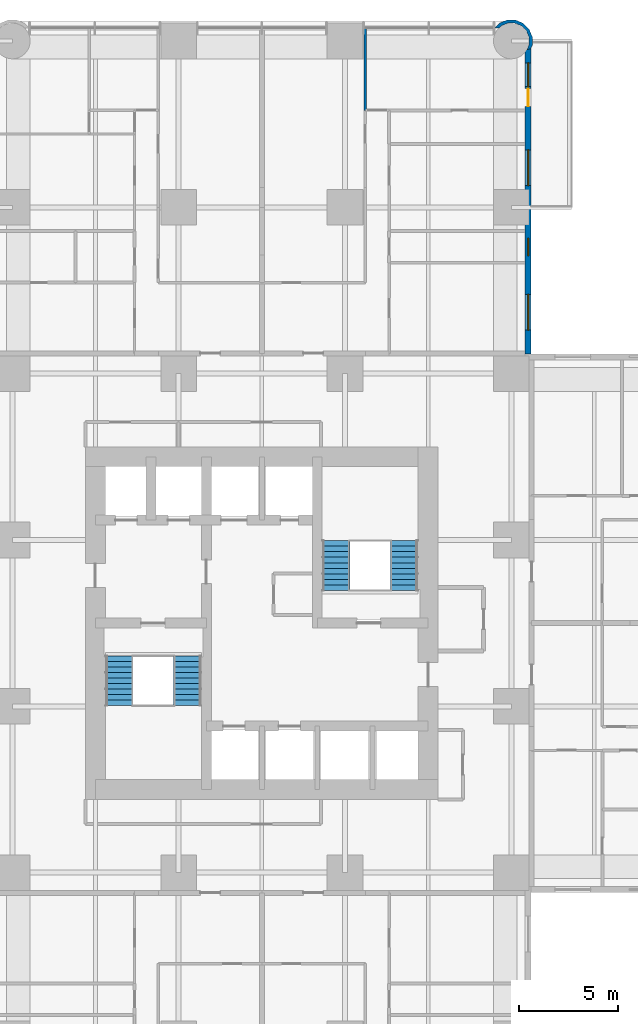
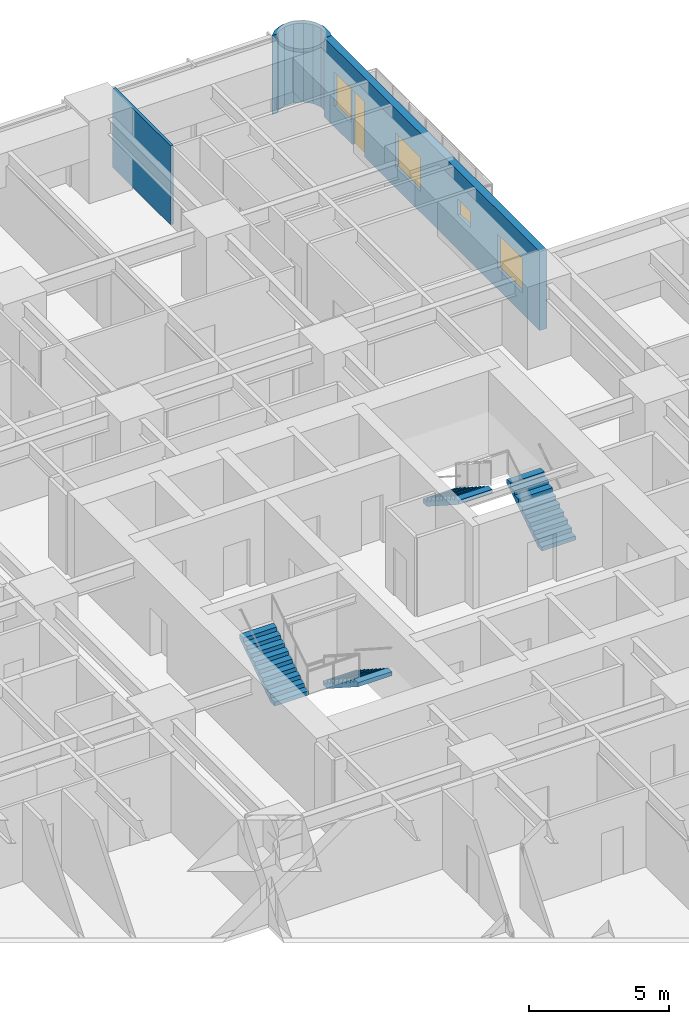
# One storey, part 15 of 17: 4 stair flights, 4 windows, 3 walls, 1 door, 5 openings, 2 elements without a shape of their own.
"""IFC4 building model written with IfcOpenShell, lengths in metres."""

from ifc_helpers import new_model, si_unit, direction, frame, frame_2d, origin, place, context, subcontext, project, spatial, polyline, rectangle, outline, extrude, material, layer, layer_set, type_object, element, fill, aggregate, save


model = new_model("IFC4")

# Units and contexts
model_context = context("Model", 3, precision=1e-05, world=origin(), true_north=direction((0.0, 1.0)))
body_context = subcontext(model_context, "Body", "Model", "MODEL_VIEW")
ifc_project = project(units=[si_unit("LENGTHUNIT", "METRE"), si_unit("AREAUNIT", "SQUARE_METRE"), si_unit("VOLUMEUNIT", "CUBIC_METRE"), si_unit("PLANEANGLEUNIT", "RADIAN"), si_unit("MASSUNIT", "GRAM", prefix="KILO")], contexts=[model_context])

# Site, building, storey
site_placement = place(None, origin())
site = spatial("IfcSite", under=ifc_project, at=site_placement, CompositionType="ELEMENT")
building_placement = place(site_placement, origin())
building = spatial("IfcBuilding", under=site, at=building_placement, Name="Torre Alcanfor", CompositionType="ELEMENT")
storey_placement = place(building_placement, frame((0.0, 0.0, 77.699951171875)))
storey = spatial("IfcBuildingStorey", under=building, at=storey_placement, Name="L19", CompositionType="ELEMENT", Elevation=77.699951171875)

# Wall
ifc_material_1 = material(Name="Gypsum board on steel studs", Category="steel")
ifc_layer_1 = layer(ifc_material_1, 0.1201171875)
ifc_layer_set_1 = layer_set([ifc_layer_1], Name="Apartment partition 120")
wall_type_1 = type_object("IfcWallType", Name="Apartment partition 120", PredefinedType="PARTITIONING", material=ifc_layer_set_1)
wall_1_placement = place(storey_placement, frame((34.62890625, 59.449951171875, 0.0), z_axis=(0.0, 0.0, 1.0), x_axis=(0.0, -1.0, 0.0)))
element("IfcWall", 1, at=wall_1_placement, inside=storey, type_object=wall_type_1, Name="Partition L19-N2-LIVING / L19-N2-MASTER", PredefinedType="PARTITIONING", context=body_context, shape_type="SweptSolid", body=[
    extrude(rectangle(XDim=4.14990234375, YDim=0.1201171875, at=frame_2d((2.074951171875, 0.0))), origin(), (0.0, 0.0, 1.0), 3.449951171875),
])

# Wall, openings, door, windows
ifc_material_2 = material(Name="Limestone cladding", Category="masonry")
ifc_layer_2 = layer(ifc_material_2, 0.0400390625, Name="Facing")
ifc_material_3 = material(Name="Ventilated air cavity")
ifc_layer_3 = layer(ifc_material_3, 0.02001953125, ventilated=True, Name="Ventilated joint")
ifc_material_4 = material(Name="Mineral wool insulation", Category="insulation")
ifc_layer_4 = layer(ifc_material_4, 0.10009765625, Name="Insulation")
ifc_material_5 = material(Name="Concrete f'c 35 MPa", Category="concrete")
ifc_layer_5 = layer(ifc_material_5, 0.139892578125, Name="Backing")
ifc_layer_set_2 = layer_set([ifc_layer_2, ifc_layer_3, ifc_layer_4, ifc_layer_5], Name="External wall stone-clad 300")
wall_type_2 = type_object("IfcWallType", Name="External wall stone-clad 300", PredefinedType="SOLIDWALL", material=ifc_layer_set_2)
wall_2_placement = place(storey_placement, frame((42.85009765625, 43.0, 0.0), z_axis=(0.0, 0.0, 1.0), x_axis=(0.0, 1.0, 0.0)))
wall_2 = element("IfcWall", 2, at=wall_2_placement, inside=storey, type_object=wall_type_2, Name="External wall L19 10", PredefinedType="SOLIDWALL", context=body_context, shape_type="SweptSolid", body=[
    extrude(rectangle(XDim=15.39990234375, YDim=0.300048828125, at=frame_2d((7.699951171875, 0.0))), origin(), (0.0, 0.0, 1.0), 3.449951171875),
])
opening_1_placement = place(wall_2_placement, frame((1.199951171875, 0.0, 0.89990234375)))
opening_1 = element("IfcOpeningElement", 3, at=opening_1_placement, cuts=wall_2, Name="Opening W2", PredefinedType="OPENING", context=body_context, shape_type="SweptSolid", body=[
    extrude(rectangle(XDim=1.800048828125, YDim=1.5, at=frame_2d((0.89990234375, 0.75))), frame((0.0, 0.159912109375, 0.0), z_axis=(0.0, -1.0, 0.0), x_axis=(1.0, 0.0, 0.0)), (0.0, 0.0, 1.0), 0.320068359375),
])
opening_2_placement = place(wall_2_placement, frame((4.949951171875, 0.0, 1.5)))
opening_2 = element("IfcOpeningElement", 4, at=opening_2_placement, cuts=wall_2, Name="Opening W3", PredefinedType="OPENING", context=body_context, shape_type="SweptSolid", body=[
    extrude(rectangle(XDim=0.89990234375, YDim=0.699951171875, at=frame_2d((0.449951171875, 0.35009765625))), frame((0.0, 0.159912109375, 0.0), z_axis=(0.0, -1.0, 0.0), x_axis=(1.0, 0.0, 0.0)), (0.0, 0.0, 1.0), 0.320068359375),
])
opening_3_placement = place(wall_2_placement, frame((8.5, 0.0, 0.89990234375)))
opening_3 = element("IfcOpeningElement", 5, at=opening_3_placement, cuts=wall_2, Name="Opening W2", PredefinedType="OPENING", context=body_context, shape_type="SweptSolid", body=[
    extrude(rectangle(XDim=1.800048828125, YDim=1.5, at=frame_2d((0.89990234375, 0.75))), frame((0.0, 0.159912109375, 0.0), z_axis=(0.0, -1.0, 0.0), x_axis=(1.0, 0.0, 0.0)), (0.0, 0.0, 1.0), 0.320068359375),
])
opening_4_placement = place(wall_2_placement, frame((12.5, 0.0, 0.0)))
opening_4 = element("IfcOpeningElement", 6, at=opening_4_placement, cuts=wall_2, Name="Opening D-B1", PredefinedType="OPENING", context=body_context, shape_type="SweptSolid", body=[
    extrude(rectangle(XDim=0.89990234375, YDim=2.39990234375, at=frame_2d((0.449951171875, 1.199951171875))), frame((0.0, 0.159912109375, 0.0), z_axis=(0.0, -1.0, 0.0), x_axis=(1.0, 0.0, 0.0)), (0.0, 0.0, 1.0), 0.320068359375),
])
opening_5_placement = place(wall_2_placement, frame((13.5, 0.0, 0.89990234375)))
opening_5 = element("IfcOpeningElement", 7, at=opening_5_placement, cuts=wall_2, Name="Opening W4", PredefinedType="OPENING", context=body_context, shape_type="SweptSolid", body=[
    extrude(rectangle(XDim=1.199951171875, YDim=1.5, at=frame_2d((0.60009765625, 0.75))), frame((0.0, 0.159912109375, 0.0), z_axis=(0.0, -1.0, 0.0), x_axis=(1.0, 0.0, 0.0)), (0.0, 0.0, 1.0), 0.320068359375),
])
ifc_material_6 = material(Name="Aluminium and glass", Category="aluminium")
door_type = type_object("IfcDoorType", Name="Balcony door glazed 900x2400", OperationType="SINGLE_SWING_LEFT", PredefinedType="DOOR", material=ifc_material_6)
door_placement = place(opening_4_placement, origin())
door = element("IfcDoor", 8, at=door_placement, inside=storey, type_object=door_type, Name="Balcony door L19-N2", OperationType="SINGLE_SWING_LEFT", OverallHeight=2.39990234375, OverallWidth=0.89990234375, PredefinedType="DOOR", context=body_context, shape_type="SweptSolid", body=[
    extrude(rectangle(XDim=0.89990234375, YDim=2.39990234375, at=frame_2d((0.449951171875, 1.199951171875))), frame((0.0, 0.02490234375, 0.0), z_axis=(0.0, -1.0, 0.0), x_axis=(1.0, 0.0, 0.0)), (0.0, 0.0, 1.0), 0.050048828125),
])
fill(opening_4, door)
ifc_material_7 = material(Name="Aluminium frame with clear double glazing", Category="aluminium")
window_type_1 = type_object("IfcWindowType", Name="Window bathroom 900x700", PartitioningType="SINGLE_PANEL", PredefinedType="WINDOW", material=ifc_material_7)
window_1_placement = place(opening_2_placement, origin())
window_1 = element("IfcWindow", 9, at=window_1_placement, inside=storey, type_object=window_type_1, Name="Window W3 L19-N2", OverallHeight=0.699951171875, OverallWidth=0.89990234375, PartitioningType="SINGLE_PANEL", PredefinedType="WINDOW", context=body_context, shape_type="SweptSolid", body=[
    extrude(rectangle(XDim=0.89990234375, YDim=0.699951171875, at=frame_2d((0.449951171875, 0.35009765625))), frame((0.0, 0.030029296875, 0.0), z_axis=(0.0, -1.0, 0.0), x_axis=(1.0, 0.0, 0.0)), (0.0, 0.0, 1.0), 0.06005859375),
])
fill(opening_2, window_1)
ifc_material_8 = material(Name="Aluminium frame with clear double glazing", Category="aluminium")
window_type_2 = type_object("IfcWindowType", Name="Window bedroom 1200x1500", PartitioningType="SINGLE_PANEL", PredefinedType="WINDOW", material=ifc_material_8)
window_2_placement = place(opening_5_placement, origin())
window_2 = element("IfcWindow", 10, at=window_2_placement, inside=storey, type_object=window_type_2, Name="Window W4 L19-N2", OverallHeight=1.5, OverallWidth=1.199951171875, PartitioningType="SINGLE_PANEL", PredefinedType="WINDOW", context=body_context, shape_type="SweptSolid", body=[
    extrude(rectangle(XDim=1.199951171875, YDim=1.5, at=frame_2d((0.60009765625, 0.75))), frame((0.0, 0.030029296875, 0.0), z_axis=(0.0, -1.0, 0.0), x_axis=(1.0, 0.0, 0.0)), (0.0, 0.0, 1.0), 0.06005859375),
])
fill(opening_5, window_2)
ifc_material_9 = material(Name="Aluminium frame with clear double glazing", Category="aluminium")
window_type_3 = type_object("IfcWindowType", Name="Window bedroom 1800x1500", PartitioningType="SINGLE_PANEL", PredefinedType="WINDOW", material=ifc_material_9)
window_3_placement = place(opening_1_placement, origin())
window_3 = element("IfcWindow", 11, at=window_3_placement, inside=storey, type_object=window_type_3, Name="Window W2 L19-N2", OverallHeight=1.5, OverallWidth=1.800048828125, PartitioningType="SINGLE_PANEL", PredefinedType="WINDOW", context=body_context, shape_type="SweptSolid", body=[
    extrude(rectangle(XDim=1.800048828125, YDim=1.5, at=frame_2d((0.89990234375, 0.75))), frame((0.0, 0.030029296875, 0.0), z_axis=(0.0, -1.0, 0.0), x_axis=(1.0, 0.0, 0.0)), (0.0, 0.0, 1.0), 0.06005859375),
])
fill(opening_1, window_3)
window_4_placement = place(opening_3_placement, origin())
window_4 = element("IfcWindow", 12, at=window_4_placement, inside=storey, type_object=window_type_3, Name="Window W2 L19-N2", OverallHeight=1.5, OverallWidth=1.800048828125, PartitioningType="SINGLE_PANEL", PredefinedType="WINDOW", context=body_context, shape_type="SweptSolid", body=[
    extrude(rectangle(XDim=1.800048828125, YDim=1.5, at=frame_2d((0.89990234375, 0.75))), frame((0.0, 0.030029296875, 0.0), z_axis=(0.0, -1.0, 0.0), x_axis=(1.0, 0.0, 0.0)), (0.0, 0.0, 1.0), 0.06005859375),
])
fill(opening_3, window_4)

# Wall
ifc_layer_6 = layer(ifc_material_2, 0.0400390625, Name="Facing")
ifc_layer_7 = layer(ifc_material_3, 0.02001953125, ventilated=True, Name="Ventilated joint")
ifc_layer_8 = layer(ifc_material_4, 0.10009765625, Name="Insulation")
ifc_layer_9 = layer(ifc_material_5, 0.139892578125, Name="Backing")
ifc_layer_set_3 = layer_set([ifc_layer_6, ifc_layer_7, ifc_layer_8, ifc_layer_9], Name="Rounded corner pier stone-clad 300")
wall_type_3 = type_object("IfcWallType", Name="Rounded corner pier stone-clad 300", PredefinedType="SOLIDWALL", material=ifc_layer_set_3)
wall_3_placement = place(storey_placement, frame((42.909907157, 58.436037137, 0.0), z_axis=(0.0, 0.0, 1.0), x_axis=(0.377204953059, 0.926129809145, 0.0)))
element("IfcWall", 13, at=wall_3_placement, inside=storey, type_object=wall_type_3, Name="Corner pier L19 19", PredefinedType="SOLIDWALL", context=body_context, shape_type="SweptSolid", body=[
    extrude(outline(polyline([(0.7691852559267269, 1.7275655888693722), (0.7500837815089341, 1.7226854696447296), (0.5995184426781746, 1.8748886632921522), (0.2945936606603473, 2.0035010026328943), (0.2810273060341947, 1.997975539453316), (0.36031770266114094, 1.803298350568026), (0.5085974876189833, 1.7408474269996308), (0.7606365681954048, 1.4857768783201941), (0.8958262339890831, 1.1538534018003268), (0.8937222712355792, 0.7952725095567933), (0.7546148492098406, 0.46498406151765126), (0.499678315387847, 0.21326317790465843), (0.16775483886797962, 0.07807351211098004), (-0.09987659960761772, 0.07952365190173498), (0.0005179574386563676, -0.09706789048462287), (0.030062934124933945, -0.08028941878374739), (0.19840443706273136, -0.08131937838229769), (0.5888893443854909, 0.07772187013655965), (0.888882191412798, 0.3741551975114527), (1.0524222412975957, 0.7628997957685094), (1.0551270334293679, 1.1847291059055145), (0.8961778759635035, 1.5749879073178383), (0.7777318237989179, 1.6949314401857838), (0.7691852559267269, 1.7275655888693722)])), origin(), (0.0, 0.0, 1.0), 3.449951171875),
])

# Stair, stair flights
ifc_material_10 = material(Name="Concrete f'c 35 MPa", Category="concrete")
stair_type_1 = type_object("IfcStairType", Name="Exit stair S1 1400 wide", PredefinedType="HALF_TURN_STAIR", material=ifc_material_10)
stair_1_placement = place(storey_placement, origin())
stair_1 = element("IfcStair", 14, at=stair_1_placement, inside=storey, type_object=stair_type_1, Name="Stair S1 L19 to L20", PredefinedType="HALF_TURN_STAIR")
ifc_material_11 = material(Name="Concrete f'c 35 MPa", Category="concrete")
stair_flight_type = type_object("IfcStairFlightType", Name="Stair flight 1400", PredefinedType="STRAIGHT", material=ifc_material_11)
stair_flight_1_placement = place(storey_placement, frame((25.64990234375, 27.75, 0.0), z_axis=(0.0, 0.0, 1.0), x_axis=(0.0, -1.0, 0.0)))
stair_flight_1 = element("IfcStairFlight", 15, at=stair_flight_1_placement, type_object=stair_flight_type, Name="S1 flight 1", NumberOfRisers=10, NumberOfTreads=9, PredefinedType="STRAIGHT", RiserHeight=0.18, TreadLength=0.28, context=body_context, shape_type="SweptSolid", body=[
    extrude(outline(polyline([(0.0, 0.0), (0.0, 0.179931640625), (0.280029296875, 0.179931640625), (0.280029296875, 0.360107421875), (0.56005859375, 0.360107421875), (0.56005859375, 0.5400390625), (0.840087890625, 0.5400390625), (0.840087890625, 0.719970703125), (1.1201171875, 0.719970703125), (1.1201171875, 0.89990234375), (1.39990234375, 0.89990234375), (1.39990234375, 1.080078125), (1.679931640625, 1.080078125), (1.679931640625, 1.260009765625), (1.9599609375, 1.260009765625), (1.9599609375, 1.43994140625), (2.239990234375, 1.43994140625), (2.239990234375, 1.6201171875), (2.52001953125, 1.6201171875), (2.52001953125, 1.800048828125), (2.52001953125, 1.44189453125), (0.277099609375, 0.0), (0.0, 0.0)])), frame((0.0, 0.699951171875, 0.0), z_axis=(0.0, -1.0, 0.0), x_axis=(1.0, 0.0, 0.0)), (0.0, 0.0, 1.0), 1.39990234375),
])
stair_flight_2_placement = place(storey_placement, frame((22.199951171875, 25.22998046875, 1.800048828125), z_axis=(0.0, 0.0, 1.0), x_axis=(0.0, 1.0, 0.0)))
stair_flight_2 = element("IfcStairFlight", 16, at=stair_flight_2_placement, type_object=stair_flight_type, Name="S1 flight 2", NumberOfRisers=10, NumberOfTreads=9, PredefinedType="STRAIGHT", RiserHeight=0.18, TreadLength=0.28, context=body_context, shape_type="SweptSolid", body=[
    extrude(outline(polyline([(0.0, 0.0), (0.0, 0.179931640625), (0.280029296875, 0.179931640625), (0.280029296875, 0.360107421875), (0.56005859375, 0.360107421875), (0.56005859375, 0.5400390625), (0.840087890625, 0.5400390625), (0.840087890625, 0.719970703125), (1.1201171875, 0.719970703125), (1.1201171875, 0.89990234375), (1.39990234375, 0.89990234375), (1.39990234375, 1.080078125), (1.679931640625, 1.080078125), (1.679931640625, 1.260009765625), (1.9599609375, 1.260009765625), (1.9599609375, 1.43994140625), (2.239990234375, 1.43994140625), (2.239990234375, 1.6201171875), (2.52001953125, 1.6201171875), (2.52001953125, 1.800048828125), (2.52001953125, 1.44189453125), (0.277099609375, 0.0), (0.0, 0.0)])), frame((0.0, 0.699951171875, 0.0), z_axis=(0.0, -1.0, 0.0), x_axis=(1.0, 0.0, 0.0)), (0.0, 0.0, 1.0), 1.39990234375),
])
aggregate(stair_1, [stair_flight_1, stair_flight_2])

ifc_material_12 = material(Name="Concrete f'c 35 MPa", Category="concrete")
stair_type_2 = type_object("IfcStairType", Name="Exit stair S2 1400 wide", PredefinedType="HALF_TURN_STAIR", material=ifc_material_12)
stair_2_placement = place(storey_placement, origin())
stair_2 = element("IfcStair", 17, at=stair_2_placement, inside=storey, type_object=stair_type_2, Name="Stair S2 L19 to L20", PredefinedType="HALF_TURN_STAIR")
stair_flight_3_placement = place(storey_placement, frame((36.60009765625, 31.050048828125, 0.0), z_axis=(0.0, 0.0, 1.0), x_axis=(0.0, 1.0, 0.0)))
stair_flight_3 = element("IfcStairFlight", 18, at=stair_flight_3_placement, type_object=stair_flight_type, Name="S2 flight 1", NumberOfRisers=10, NumberOfTreads=9, PredefinedType="STRAIGHT", RiserHeight=0.18, TreadLength=0.28, context=body_context, shape_type="SweptSolid", body=[
    extrude(outline(polyline([(0.0, 0.0), (0.0, 0.179931640625), (0.280029296875, 0.179931640625), (0.280029296875, 0.360107421875), (0.56005859375, 0.360107421875), (0.56005859375, 0.5400390625), (0.840087890625, 0.5400390625), (0.840087890625, 0.719970703125), (1.1201171875, 0.719970703125), (1.1201171875, 0.89990234375), (1.39990234375, 0.89990234375), (1.39990234375, 1.080078125), (1.679931640625, 1.080078125), (1.679931640625, 1.260009765625), (1.9599609375, 1.260009765625), (1.9599609375, 1.43994140625), (2.239990234375, 1.43994140625), (2.239990234375, 1.6201171875), (2.52001953125, 1.6201171875), (2.52001953125, 1.800048828125), (2.52001953125, 1.44189453125), (0.277099609375, 0.0), (0.0, 0.0)])), frame((0.0, 0.699951171875, 0.0), z_axis=(0.0, -1.0, 0.0), x_axis=(1.0, 0.0, 0.0)), (0.0, 0.0, 1.0), 1.39990234375),
])
stair_flight_4_placement = place(storey_placement, frame((33.14990234375, 33.570068359375, 1.800048828125), z_axis=(0.0, 0.0, 1.0), x_axis=(0.0, -1.0, 0.0)))
stair_flight_4 = element("IfcStairFlight", 19, at=stair_flight_4_placement, type_object=stair_flight_type, Name="S2 flight 2", NumberOfRisers=10, NumberOfTreads=9, PredefinedType="STRAIGHT", RiserHeight=0.18, TreadLength=0.28, context=body_context, shape_type="SweptSolid", body=[
    extrude(outline(polyline([(0.0, 0.0), (0.0, 0.179931640625), (0.280029296875, 0.179931640625), (0.280029296875, 0.360107421875), (0.56005859375, 0.360107421875), (0.56005859375, 0.5400390625), (0.840087890625, 0.5400390625), (0.840087890625, 0.719970703125), (1.1201171875, 0.719970703125), (1.1201171875, 0.89990234375), (1.39990234375, 0.89990234375), (1.39990234375, 1.080078125), (1.679931640625, 1.080078125), (1.679931640625, 1.260009765625), (1.9599609375, 1.260009765625), (1.9599609375, 1.43994140625), (2.239990234375, 1.43994140625), (2.239990234375, 1.6201171875), (2.52001953125, 1.6201171875), (2.52001953125, 1.800048828125), (2.52001953125, 1.44189453125), (0.277099609375, 0.0), (0.0, 0.0)])), frame((0.0, 0.699951171875, 0.0), z_axis=(0.0, -1.0, 0.0), x_axis=(1.0, 0.0, 0.0)), (0.0, 0.0, 1.0), 1.39990234375),
])
aggregate(stair_2, [stair_flight_3, stair_flight_4])

save(model, "model.ifc")
